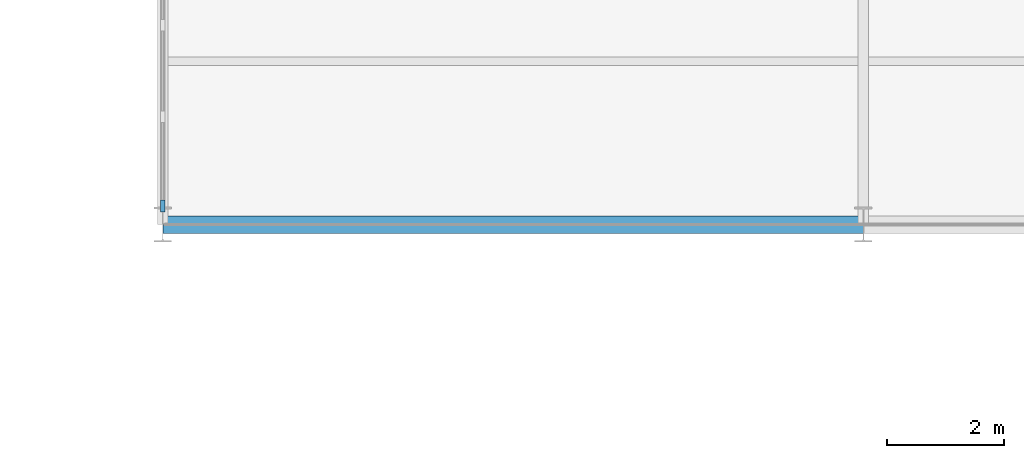
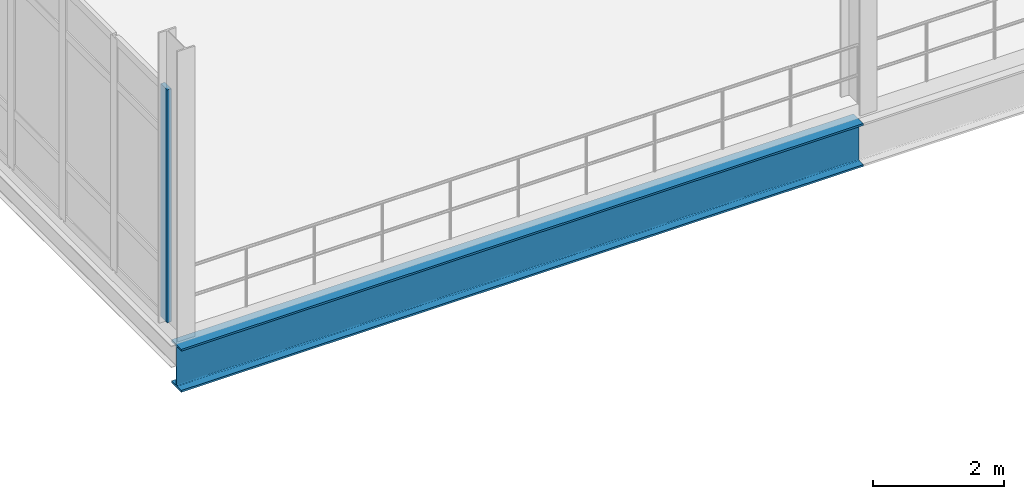
# One storey, part 45 of 111: 1 beam, 1 member, 1 element without a shape of its own.
"""IFC4 building model written with IfcOpenShell, lengths in metres."""

from ifc_helpers import new_model, si_unit, direction, frame, origin, origin_2d, place, context, subcontext, project, spatial, rectangle, i_section, extrude, material, layer, layer_set, material_profile, profile_set, type_object, element, aggregate, save


model = new_model("IFC4")

# Units and contexts
model_context = context("Model", 3, precision=1e-05, world=origin(), true_north=direction((0.0, 1.0)))
body_context = subcontext(model_context, "Body", "Model", "MODEL_VIEW")
ifc_project = project(units=[si_unit("LENGTHUNIT", "METRE"), si_unit("AREAUNIT", "SQUARE_METRE"), si_unit("VOLUMEUNIT", "CUBIC_METRE"), si_unit("PLANEANGLEUNIT", "RADIAN"), si_unit("MASSUNIT", "GRAM", prefix="KILO"), si_unit("THERMODYNAMICTEMPERATUREUNIT", "KELVIN"), si_unit("POWERUNIT", "WATT")], contexts=[model_context])

# Site, building, storey
site_placement = place(None, origin())
site = spatial("IfcSite", under=ifc_project, at=site_placement, CompositionType="ELEMENT")
building_placement = place(site_placement, origin())
building = spatial("IfcBuilding", under=site, at=building_placement, Name="Tembeka Court Mobility Hub", CompositionType="ELEMENT")
storey_placement = place(building_placement, origin())
storey = spatial("IfcBuildingStorey", under=building, at=storey_placement, Name="L00", CompositionType="ELEMENT", Elevation=0.0)

# Beam
ifc_material_1 = material(Name="Steel S355", Category="steel")
ifc_material_profile_1 = material_profile(ifc_material_1, i_section(OverallWidth=0.300048828125, OverallDepth=0.800048828125, WebThickness=0.017578125, FlangeThickness=0.034912109375, FilletRadius=0.030029296875, at=origin_2d()), Name="HEB 800")
ifc_profile_set_1 = profile_set([ifc_material_profile_1], Name="Steel S355")
beam_type = type_object("IfcBeamType", Name="BM-G04", PredefinedType="USERDEFINED", material=ifc_profile_set_1)
beam_placement = place(storey_placement, frame((116.39990234375, 63.60009765625, -0.679931640625), z_axis=(1.0, 0.0, 0.0), x_axis=(0.0, 1.0, 0.0)))
element("IfcBeam", 1, at=beam_placement, inside=storey, type_object=beam_type, Name="Beam G04 (BM-L00-X0102)", ObjectType="GIRDER", PredefinedType="USERDEFINED", context=body_context, shape_type="SweptSolid", body=[
    extrude(i_section(OverallWidth=0.300048828125, OverallDepth=0.800048828125, WebThickness=0.017578125, FlangeThickness=0.034912109375, FilletRadius=0.030029296875, at=origin_2d()), origin(), (0.0, 0.0, 1.0), 12.0),
])

# Curtain wall, member
ifc_material_2 = material(Name="Anodised aluminium 6063-T6", Category="aluminium")
ifc_layer = layer(ifc_material_2, 0.159912109375)
ifc_layer_set = layer_set([ifc_layer], Name="Anodised aluminium 6063-T6")
curtain_wall_type = type_object("IfcCurtainWallType", Name="CW-SYS01", PredefinedType="USERDEFINED", material=ifc_layer_set)
curtain_wall_placement = place(storey_placement, origin())
curtain_wall = element("IfcCurtainWall", 2, at=curtain_wall_placement, inside=storey, type_object=curtain_wall_type, Name="Unitised curtain wall CW01 (CW-L00-083)", ObjectType="UNITISED GLAZING", PredefinedType="USERDEFINED")
ifc_material_profile_2 = material_profile(ifc_material_2, rectangle(XDim=0.074951171875, YDim=0.199951171875, at=origin_2d()), Name="ALU-MUL 75x200")
ifc_profile_set_2 = profile_set([ifc_material_profile_2], Name="Anodised aluminium 6063-T6")
member_type = type_object("IfcMemberType", Name="CW-MUL02", PredefinedType="MULLION", material=ifc_profile_set_2)
member_placement = place(storey_placement, frame((116.39990234375, 63.91748046875, 0.0), z_axis=(0.0, 0.0, 1.0), x_axis=(-1.0, 0.0, 0.0)))
member = element("IfcMember", 3, at=member_placement, type_object=member_type, Name="CW01 mullion 1", PredefinedType="MULLION", context=body_context, shape_type="SweptSolid", body=[
    extrude(rectangle(XDim=0.074951171875, YDim=0.199951171875, at=origin_2d()), origin(), (0.0, 0.0, 1.0), 4.3349609375),
])
aggregate(curtain_wall, [member])

save(model, "model.ifc")
